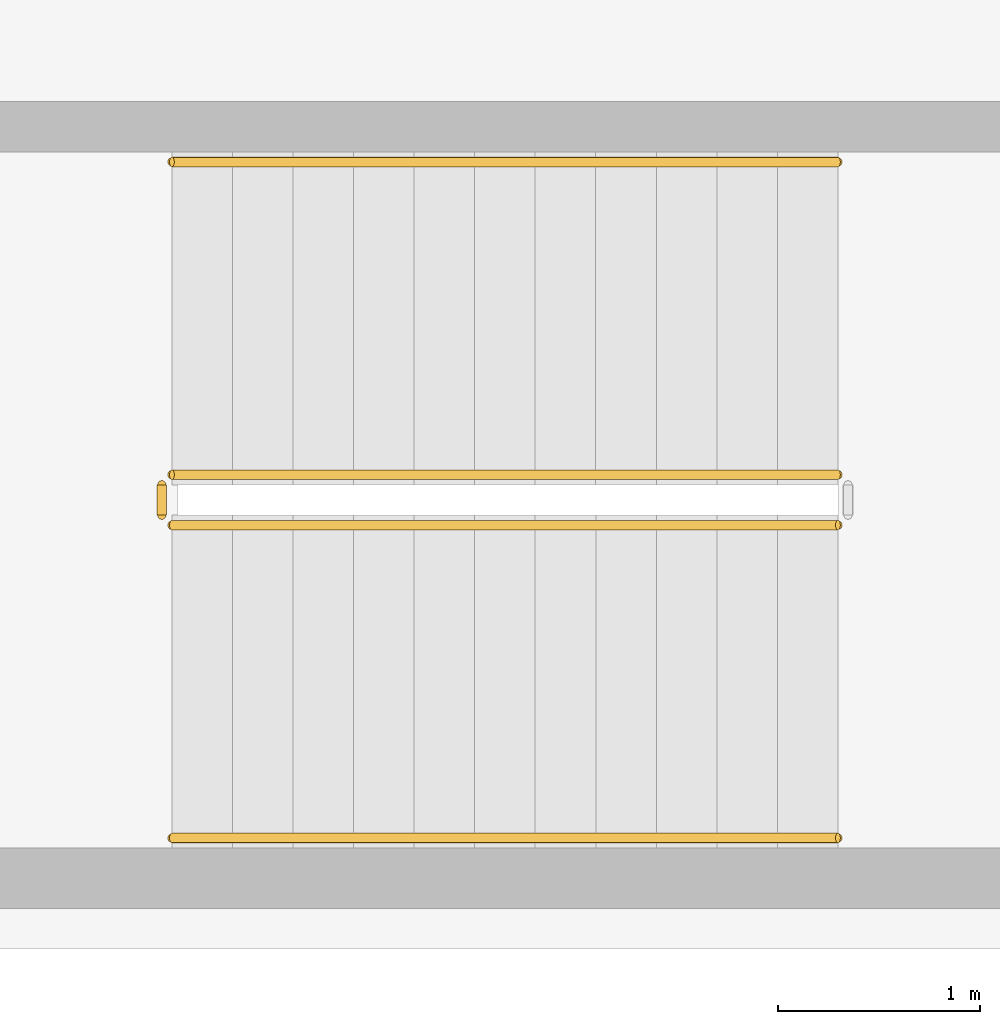
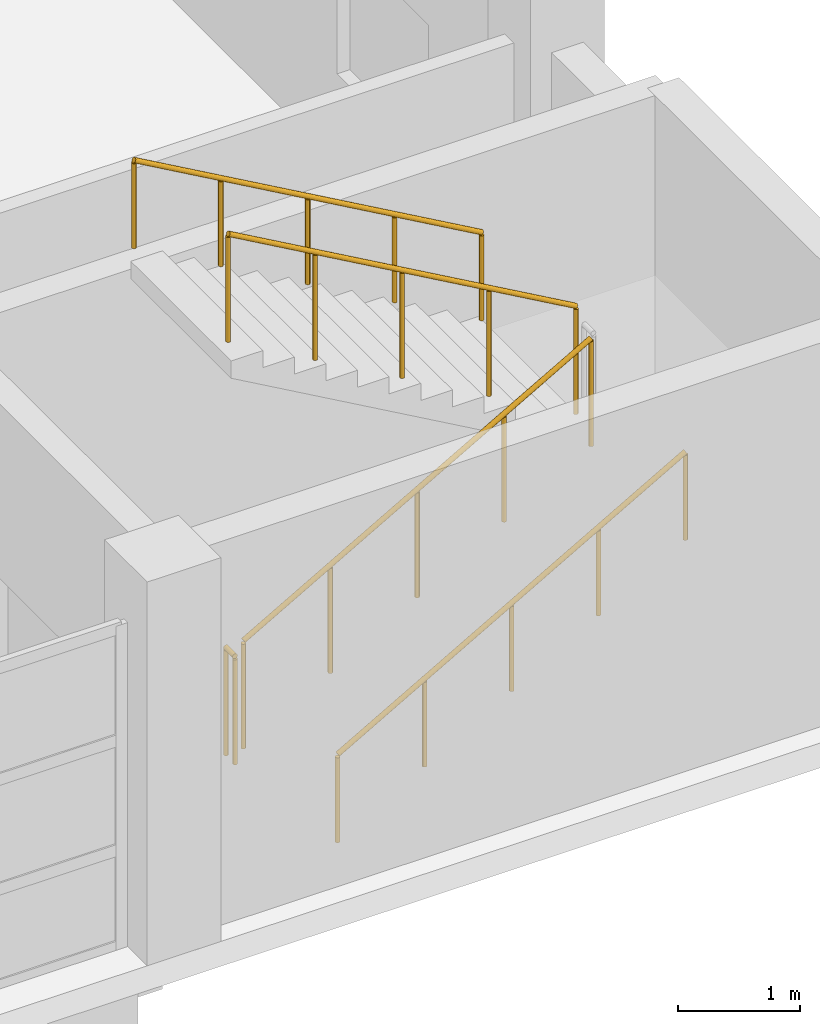
# One storey, part 27 of 31: 5 railings.
"""IFC4 building model written with IfcOpenShell, lengths in metres."""

import ifcopenshell
import ifcopenshell.guid

model = None  # the IFC model being written
_history = None  # IfcOwnerHistory: only IFC2X3 demands one
_inside = {}  # id of a spatial element -> (the spatial element, [elements in it])
_under = {}  # id of a project, library or spatial element -> (it, [spatial elements below it])
_declared = {}  # id of a project -> (the project, [libraries it declares])
_typed = {}  # id of a type object -> (the type object, [elements of that type])
_made_of = {}  # id of a material, layer set ... -> (it, [elements and type objects made of it])


def new_model(schema):
    """Start an empty IFC model of exactly this schema.

    Asked for "IFC4X3", IfcOpenShell would pick the latest addendum, in which some entities
    have other attributes; the version numbers below select the first issue.
    IFC2X3 requires an IfcOwnerHistory on every rooted entity: one is made here for all.
    """
    global model, _history
    if schema == "IFC4X3":
        model = ifcopenshell.file(schema_version=(4, 3, 0, 0))
    else:
        model = ifcopenshell.file(schema=schema)
    _inside.clear()
    _under.clear()
    _declared.clear()
    _typed.clear()
    _made_of.clear()
    _history = None
    if model.schema == "IFC2X3":
        org = make("IfcOrganization", Name="unknown")
        user = make(
            "IfcPersonAndOrganization",
            ThePerson=make("IfcPerson", FamilyName="unknown"),
            TheOrganization=org,
        )
        app = make(
            "IfcApplication",
            ApplicationDeveloper=org,
            Version="unknown",
            ApplicationFullName="unknown",
            ApplicationIdentifier="unknown",
        )
        _history = make(
            "IfcOwnerHistory",
            OwningUser=user,
            OwningApplication=app,
            ChangeAction="ADDED",
            CreationDate=0,
        )
    return model


def make(cls, **values):
    """One entity of the class cls with the attributes given. An attribute that is None is left unset."""
    return model.create_entity(
        cls, **{name: value for name, value in values.items() if value is not None}
    )


def rooted(cls, **values):
    """An entity with a GlobalId (a new one), such as an element, a storey or a relation."""
    return make(cls, GlobalId=ifcopenshell.guid.new(), OwnerHistory=_history, **values)


def si_unit(unit_type, name, prefix=None):
    """IfcSIUnit, for example si_unit("LENGTHUNIT", "METRE", prefix="MILLI")."""
    return make("IfcSIUnit", UnitType=unit_type, Prefix=prefix, Name=name)


def assignment(units):
    """IfcUnitAssignment: the units of a project."""
    return None if units is None else make("IfcUnitAssignment", Units=units)


def point(xyz):
    """IfcCartesianPoint."""
    return None if xyz is None else make("IfcCartesianPoint", Coordinates=xyz)


def direction(xyz):
    """IfcDirection."""
    return None if xyz is None else make("IfcDirection", DirectionRatios=xyz)


def frame(location, z_axis=None, x_axis=None):
    """IfcAxis2Placement3D, a coordinate frame: its origin and axes. An axis left out is left unset."""
    return make(
        "IfcAxis2Placement3D",
        Location=point(location),
        Axis=direction(z_axis),
        RefDirection=direction(x_axis),
    )


def frame_2d(location, x_axis=None):
    """IfcAxis2Placement2D, a coordinate frame in the plane: its origin and x axis."""
    return make(
        "IfcAxis2Placement2D", Location=point(location), RefDirection=direction(x_axis)
    )


def origin():
    """The frame at (0, 0, 0) with its axes left unset."""
    return frame((0.0, 0.0, 0.0))


def origin_2d():
    """The frame at (0, 0) in the plane with its x axis left unset."""
    return frame_2d((0.0, 0.0))


def place(relative_to, where):
    """IfcLocalPlacement: puts the frame where relative to a parent placement (None: the world)."""
    return make(
        "IfcLocalPlacement", PlacementRelTo=relative_to, RelativePlacement=where
    )


def context(
    kind, dimensions, precision=None, world=None, true_north=None, identifier=None
):
    """IfcGeometricRepresentationContext, for example the 3D "Model" context."""
    return make(
        "IfcGeometricRepresentationContext",
        ContextIdentifier=identifier,
        ContextType=kind,
        CoordinateSpaceDimension=dimensions,
        Precision=precision,
        WorldCoordinateSystem=world,
        TrueNorth=true_north,
    )


def subcontext(parent, identifier, kind, view, scale=None):
    """IfcGeometricRepresentationSubContext, for example "Body" below "Model"."""
    return make(
        "IfcGeometricRepresentationSubContext",
        ContextIdentifier=identifier,
        ContextType=kind,
        ParentContext=parent,
        TargetScale=scale,
        TargetView=view,
    )


def project(units=None, contexts=None):
    """IfcProject with its units and contexts."""
    return rooted(
        "IfcProject",
        Name="project",
        RepresentationContexts=contexts,
        UnitsInContext=assignment(units),
    )


def spatial(cls, under=None, at=None, **own):
    """A site, building, storey or space (cls), placed at a placement, below another one or the project."""
    s = rooted(cls, ObjectPlacement=at, **own)
    if under is not None:
        _under.setdefault(under.id(), (under, []))[1].append(s)
    return s


def profile(cls, at=None, kind="AREA", **sizes):
    """A parametric profile (cls). Its sizes go by their IFC names, for example OverallWidth=200.0."""
    return make(cls, ProfileType=kind, Position=at, **sizes)


def circle(**sizes):
    """IfcCircleProfileDef."""
    return profile("IfcCircleProfileDef", **sizes)


def extrude(swept, where, along, depth):
    """IfcExtrudedAreaSolid: the profile swept, set in the frame where, extruded along a direction by depth."""
    return make(
        "IfcExtrudedAreaSolid",
        SweptArea=swept,
        Position=where,
        ExtrudedDirection=direction(along),
        Depth=depth,
    )


def shape(context_of_items, identifier, shape_type, items):
    """IfcShapeRepresentation: the items that make up one representation, for example the "Body"."""
    return make(
        "IfcShapeRepresentation",
        ContextOfItems=context_of_items,
        RepresentationIdentifier=identifier,
        RepresentationType=shape_type,
        Items=items,
    )


def material(Name=None, Category=None):
    """IfcMaterial."""
    return make("IfcMaterial", Name=Name, Category=Category)


def made_of(thing, what):
    """Note that an element or type object is made of a material, layer set ...; save() writes the relation."""
    if what is not None:
        _made_of.setdefault(what.id(), (what, []))[1].append(thing)
    return thing


def type_object(cls, material=None, **own):
    """A type object (cls), such as IfcWallType, which elements share."""
    return made_of(rooted(cls, **own), material)


def element(
    cls,
    number,
    at=None,
    inside=None,
    cuts=None,
    type_object=None,
    material=None,
    context=None,
    identifier="Body",
    shape_type=None,
    held_by="IfcProductDefinitionShape",
    body=None,
    shapes=None,
    **own,
):
    """One element of the class cls, such as IfcWall. Its Tag is "e" and its number.

    at: its placement. inside: the storey or other place that contains it. cuts: it is an
    opening in that element (IfcRelVoidsElement). A single representation is given by context,
    identifier, shape_type and body (its items); several are given by shapes. held_by: the class
    of the entity that holds the representations. save() writes the other relations.
    """
    e = rooted(cls, Tag="e%d" % number, ObjectPlacement=at, **own)
    if body is not None:
        shapes = [shape(context, identifier, shape_type, body)]
    if shapes is not None:
        e.Representation = make(held_by, Representations=shapes)
    if inside is not None:
        _inside.setdefault(inside.id(), (inside, []))[1].append(e)
    if cuts is not None:
        rooted(
            "IfcRelVoidsElement", RelatingBuildingElement=cuts, RelatedOpeningElement=e
        )
    if type_object is not None:
        _typed.setdefault(type_object.id(), (type_object, []))[1].append(e)
    return made_of(e, material)


def aggregate(whole, parts):
    """IfcRelAggregates: a whole, such as a stair, and the parts it consists of."""
    return rooted("IfcRelAggregates", RelatingObject=whole, RelatedObjects=parts)


def save(model, path):
    """Write the relations noted so far, then the file.

    IfcRelAggregates (storeys below a building ...), IfcRelContainedInSpatialStructure (elements
    in a storey), IfcRelDefinesByType, IfcRelAssociatesMaterial and IfcRelDeclares: one each for
    every whole, place, type object, material and project.
    """
    for whole, parts in _under.values():
        aggregate(whole, parts)
    for where, things in _inside.values():
        rooted(
            "IfcRelContainedInSpatialStructure",
            RelatedElements=things,
            RelatingStructure=where,
        )
    for kind, things in _typed.values():
        rooted("IfcRelDefinesByType", RelatedObjects=things, RelatingType=kind)
    for what, things in _made_of.values():
        rooted("IfcRelAssociatesMaterial", RelatedObjects=things, RelatingMaterial=what)
    for by, libraries in _declared.values():
        rooted("IfcRelDeclares", RelatingContext=by, RelatedDefinitions=libraries)
    model.write(path)


model = new_model("IFC4")

# Units and contexts
model_context = context("Model", 3, precision=1e-05, world=origin(), true_north=direction((0.0, 1.0)))
body_context = subcontext(model_context, "Body", "Model", "MODEL_VIEW")
ifc_project = project(units=[si_unit("LENGTHUNIT", "METRE"), si_unit("AREAUNIT", "SQUARE_METRE"), si_unit("VOLUMEUNIT", "CUBIC_METRE"), si_unit("PLANEANGLEUNIT", "RADIAN"), si_unit("MASSUNIT", "GRAM", prefix="KILO")], contexts=[model_context])

# Site, building, storey
site_placement = place(None, origin())
site = spatial("IfcSite", under=ifc_project, at=site_placement, CompositionType="ELEMENT")
building_placement = place(site_placement, origin())
building = spatial("IfcBuilding", under=site, at=building_placement, Name="Corbel Stack Research Tower", CompositionType="ELEMENT")
storey_placement = place(building_placement, frame((0.0, 0.0, 15.39990234375)))
storey = spatial("IfcBuildingStorey", under=building, at=storey_placement, Name="L03", CompositionType="ELEMENT", Elevation=15.39990234375)

# Railings
ifc_material_1 = material(Name="Steel S235", Category="steel")
railing_type_1 = type_object("IfcRailingType", Name="HR1 guard 1100", PredefinedType="GUARDRAIL", material=ifc_material_1)
railing_1_placement = place(storey_placement, frame((95.47509765625, -21.89990234375, 0.1708984375)))
element("IfcRailing", 1, at=railing_1_placement, inside=storey, type_object=railing_type_1, Name="L03 HS3 stair guard 1", PredefinedType="GUARDRAIL", context=body_context, shape_type="SweptSolid", body=[
    extrude(circle(Radius=0.02392578125, at=origin_2d()), frame((0.0, 0.0, 1.076171875), z_axis=(0.868974139896, 0.0, 0.494857498874), x_axis=(0.0, 1.0, 0.0)), (0.0, 0.0, 1.0), 3.79736328125),
    extrude(circle(Radius=0.02099609375, at=origin_2d()), origin(), (0.0, 0.0, 1.0), 1.052001953125),
    extrude(circle(Radius=0.02099609375, at=origin_2d()), frame((0.824951171875, 0.0, 0.4697265625)), (0.0, 0.0, 1.0), 1.052001953125),
    extrude(circle(Radius=0.02099609375, at=origin_2d()), frame((1.64990234375, 0.0, 0.939453125)), (0.0, 0.0, 1.0), 1.052001953125),
    extrude(circle(Radius=0.02099609375, at=origin_2d()), frame((2.474853515625, 0.0, 1.409423828125)), (0.0, 0.0, 1.0), 1.052001953125),
    extrude(circle(Radius=0.02099609375, at=origin_2d()), frame((3.2998046875, 0.0, 1.879150390625)), (0.0, 0.0, 1.0), 1.052001953125),
])
railing_2_placement = place(storey_placement, frame((98.77490234375, -21.64990234375, 2.220947265625)))
element("IfcRailing", 2, at=railing_2_placement, inside=storey, type_object=railing_type_1, Name="L03 HS3 stair guard 3", PredefinedType="GUARDRAIL", context=body_context, shape_type="SweptSolid", body=[
    extrude(circle(Radius=0.02392578125, at=origin_2d()), frame((0.0, 0.0, 1.076171875), z_axis=(-0.868974139896, 0.0, 0.494857498874), x_axis=(0.0, -1.0, 0.0)), (0.0, 0.0, 1.0), 3.79736328125),
    extrude(circle(Radius=0.02099609375, at=origin_2d()), origin(), (0.0, 0.0, 1.0), 1.052001953125),
    extrude(circle(Radius=0.02099609375, at=origin_2d()), frame((-0.824951171875, 0.0, 0.4697265625)), (0.0, 0.0, 1.0), 1.052001953125),
    extrude(circle(Radius=0.02099609375, at=origin_2d()), frame((-1.64990234375, 0.0, 0.939453125)), (0.0, 0.0, 1.0), 1.052001953125),
    extrude(circle(Radius=0.02099609375, at=origin_2d()), frame((-2.474853515625, 0.0, 1.409423828125)), (0.0, 0.0, 1.0), 1.052001953125),
    extrude(circle(Radius=0.02099609375, at=origin_2d()), frame((-3.2998046875, 0.0, 1.879150390625)), (0.0, 0.0, 1.0), 1.052001953125),
])
railing_3_placement = place(storey_placement, frame((95.425048828125, -21.85009765625, 0.0)))
element("IfcRailing", 3, at=railing_3_placement, inside=storey, type_object=railing_type_1, Name="L03 HS3 stair guard 4", PredefinedType="GUARDRAIL", context=body_context, shape_type="SweptSolid", body=[
    extrude(circle(Radius=0.02392578125, at=origin_2d()), frame((0.0, 0.0, 1.076171875), z_axis=(0.0, 1.0, 0.0), x_axis=(-1.0, 0.0, 0.0)), (0.0, 0.0, 1.0), 0.150146484375),
    extrude(circle(Radius=0.02099609375, at=origin_2d()), origin(), (0.0, 0.0, 1.0), 1.052001953125),
    extrude(circle(Radius=0.02099609375, at=origin_2d()), frame((0.0, 0.150146484375, 0.0)), (0.0, 0.0, 1.0), 1.052001953125),
])
ifc_material_2 = material(Name="Steel S235", Category="steel")
railing_type_2 = type_object("IfcRailingType", Name="HR2 handrail 900", PredefinedType="HANDRAIL", material=ifc_material_2)
railing_4_placement = place(storey_placement, frame((95.47509765625, -23.449951171875, 0.1708984375)))
element("IfcRailing", 4, at=railing_4_placement, inside=storey, type_object=railing_type_2, Name="L03 HS3 stair handrail 1", PredefinedType="HANDRAIL", context=body_context, shape_type="SweptSolid", body=[
    extrude(circle(Radius=0.02392578125, at=origin_2d()), frame((0.0, 0.0, 0.8759765625), z_axis=(0.868974139896, 0.0, 0.494857498874), x_axis=(0.0, 1.0, 0.0)), (0.0, 0.0, 1.0), 3.79736328125),
    extrude(circle(Radius=0.02099609375, at=origin_2d()), origin(), (0.0, 0.0, 1.0), 0.851806640625),
    extrude(circle(Radius=0.02099609375, at=origin_2d()), frame((0.824951171875, 0.0, 0.4697265625)), (0.0, 0.0, 1.0), 0.851806640625),
    extrude(circle(Radius=0.02099609375, at=origin_2d()), frame((1.64990234375, 0.0, 0.939453125)), (0.0, 0.0, 1.0), 0.851806640625),
    extrude(circle(Radius=0.02099609375, at=origin_2d()), frame((2.474853515625, 0.0, 1.409423828125)), (0.0, 0.0, 1.0), 0.851806640625),
    extrude(circle(Radius=0.02099609375, at=origin_2d()), frame((3.2998046875, 0.0, 1.879150390625)), (0.0, 0.0, 1.0), 0.851806640625),
])
railing_5_placement = place(storey_placement, frame((98.77490234375, -20.10009765625, 2.220947265625)))
element("IfcRailing", 5, at=railing_5_placement, inside=storey, type_object=railing_type_2, Name="L03 HS3 stair handrail 2", PredefinedType="HANDRAIL", context=body_context, shape_type="SweptSolid", body=[
    extrude(circle(Radius=0.02392578125, at=origin_2d()), frame((0.0, 0.0, 0.8759765625), z_axis=(-0.868974139896, 0.0, 0.494857498874), x_axis=(0.0, -1.0, 0.0)), (0.0, 0.0, 1.0), 3.79736328125),
    extrude(circle(Radius=0.02099609375, at=origin_2d()), origin(), (0.0, 0.0, 1.0), 0.851806640625),
    extrude(circle(Radius=0.02099609375, at=origin_2d()), frame((-0.824951171875, 0.0, 0.4697265625)), (0.0, 0.0, 1.0), 0.851806640625),
    extrude(circle(Radius=0.02099609375, at=origin_2d()), frame((-1.64990234375, 0.0, 0.939453125)), (0.0, 0.0, 1.0), 0.851806640625),
    extrude(circle(Radius=0.02099609375, at=origin_2d()), frame((-2.474853515625, 0.0, 1.409423828125)), (0.0, 0.0, 1.0), 0.851806640625),
    extrude(circle(Radius=0.02099609375, at=origin_2d()), frame((-3.2998046875, 0.0, 1.879150390625)), (0.0, 0.0, 1.0), 0.851806640625),
])

save(model, "model.ifc")
